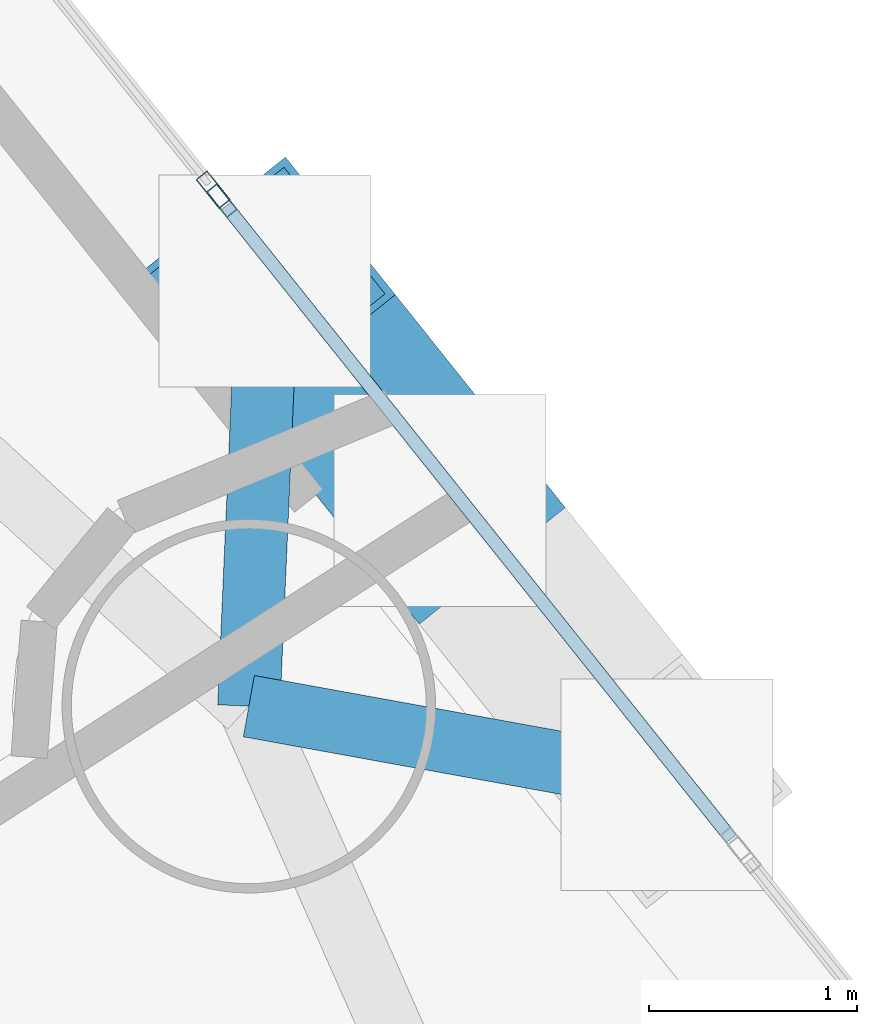
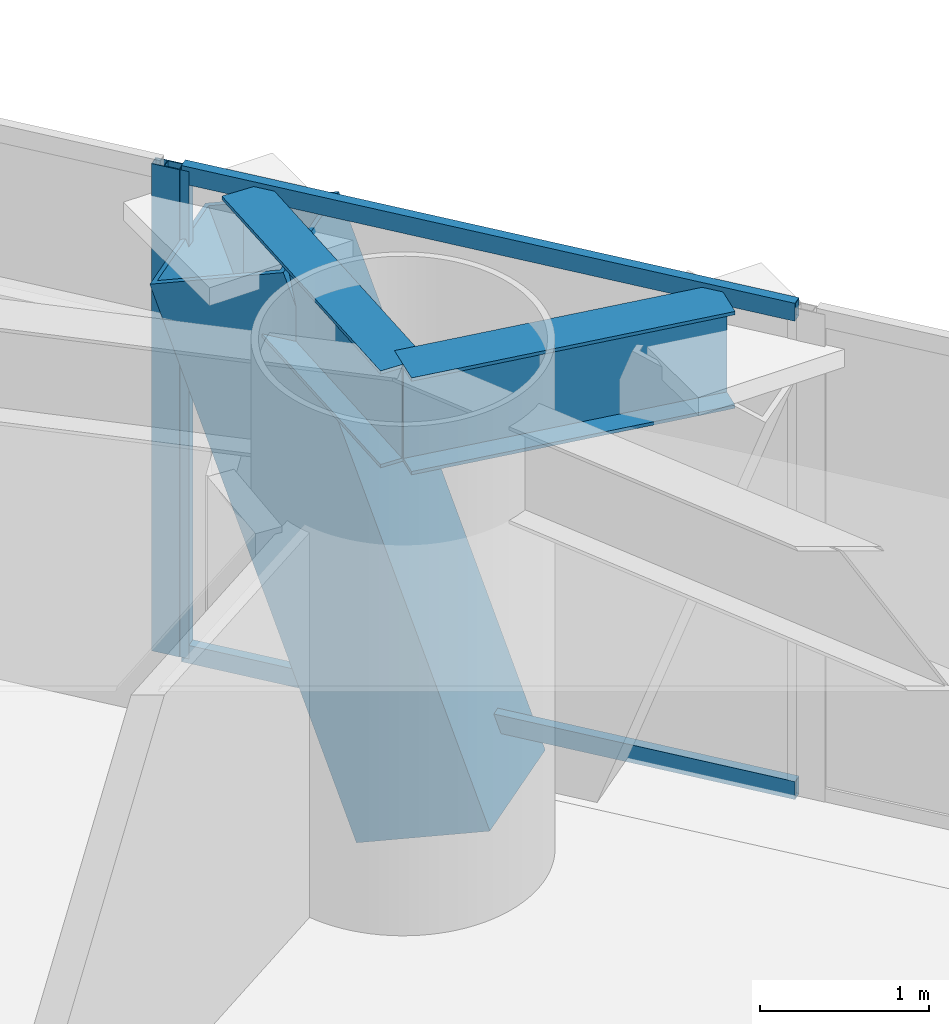
# One storey, part 10 of 23: 5 members, 2 beams, 2 elements without a shape of their own.
"""IFC4 building model written with IfcOpenShell, lengths in metres."""

import ifcopenshell
import ifcopenshell.guid

model = None  # the IFC model being written
_history = None  # IfcOwnerHistory: only IFC2X3 demands one
_inside = {}  # id of a spatial element -> (the spatial element, [elements in it])
_under = {}  # id of a project, library or spatial element -> (it, [spatial elements below it])
_declared = {}  # id of a project -> (the project, [libraries it declares])
_typed = {}  # id of a type object -> (the type object, [elements of that type])
_made_of = {}  # id of a material, layer set ... -> (it, [elements and type objects made of it])


def new_model(schema):
    """Start an empty IFC model of exactly this schema.

    Asked for "IFC4X3", IfcOpenShell would pick the latest addendum, in which some entities
    have other attributes; the version numbers below select the first issue.
    IFC2X3 requires an IfcOwnerHistory on every rooted entity: one is made here for all.
    """
    global model, _history
    if schema == "IFC4X3":
        model = ifcopenshell.file(schema_version=(4, 3, 0, 0))
    else:
        model = ifcopenshell.file(schema=schema)
    _inside.clear()
    _under.clear()
    _declared.clear()
    _typed.clear()
    _made_of.clear()
    _history = None
    if model.schema == "IFC2X3":
        org = make("IfcOrganization", Name="unknown")
        user = make(
            "IfcPersonAndOrganization",
            ThePerson=make("IfcPerson", FamilyName="unknown"),
            TheOrganization=org,
        )
        app = make(
            "IfcApplication",
            ApplicationDeveloper=org,
            Version="unknown",
            ApplicationFullName="unknown",
            ApplicationIdentifier="unknown",
        )
        _history = make(
            "IfcOwnerHistory",
            OwningUser=user,
            OwningApplication=app,
            ChangeAction="ADDED",
            CreationDate=0,
        )
    return model


def make(cls, **values):
    """One entity of the class cls with the attributes given. An attribute that is None is left unset."""
    return model.create_entity(
        cls, **{name: value for name, value in values.items() if value is not None}
    )


def rooted(cls, **values):
    """An entity with a GlobalId (a new one), such as an element, a storey or a relation."""
    return make(cls, GlobalId=ifcopenshell.guid.new(), OwnerHistory=_history, **values)


def si_unit(unit_type, name, prefix=None):
    """IfcSIUnit, for example si_unit("LENGTHUNIT", "METRE", prefix="MILLI")."""
    return make("IfcSIUnit", UnitType=unit_type, Prefix=prefix, Name=name)


def assignment(units):
    """IfcUnitAssignment: the units of a project."""
    return None if units is None else make("IfcUnitAssignment", Units=units)


def point(xyz):
    """IfcCartesianPoint."""
    return None if xyz is None else make("IfcCartesianPoint", Coordinates=xyz)


def direction(xyz):
    """IfcDirection."""
    return None if xyz is None else make("IfcDirection", DirectionRatios=xyz)


def frame(location, z_axis=None, x_axis=None):
    """IfcAxis2Placement3D, a coordinate frame: its origin and axes. An axis left out is left unset."""
    return make(
        "IfcAxis2Placement3D",
        Location=point(location),
        Axis=direction(z_axis),
        RefDirection=direction(x_axis),
    )


def frame_2d(location, x_axis=None):
    """IfcAxis2Placement2D, a coordinate frame in the plane: its origin and x axis."""
    return make(
        "IfcAxis2Placement2D", Location=point(location), RefDirection=direction(x_axis)
    )


def origin():
    """The frame at (0, 0, 0) with its axes left unset."""
    return frame((0.0, 0.0, 0.0))


def origin_2d():
    """The frame at (0, 0) in the plane with its x axis left unset."""
    return frame_2d((0.0, 0.0))


def place(relative_to, where):
    """IfcLocalPlacement: puts the frame where relative to a parent placement (None: the world)."""
    return make(
        "IfcLocalPlacement", PlacementRelTo=relative_to, RelativePlacement=where
    )


def context(
    kind, dimensions, precision=None, world=None, true_north=None, identifier=None
):
    """IfcGeometricRepresentationContext, for example the 3D "Model" context."""
    return make(
        "IfcGeometricRepresentationContext",
        ContextIdentifier=identifier,
        ContextType=kind,
        CoordinateSpaceDimension=dimensions,
        Precision=precision,
        WorldCoordinateSystem=world,
        TrueNorth=true_north,
    )


def subcontext(parent, identifier, kind, view, scale=None):
    """IfcGeometricRepresentationSubContext, for example "Body" below "Model"."""
    return make(
        "IfcGeometricRepresentationSubContext",
        ContextIdentifier=identifier,
        ContextType=kind,
        ParentContext=parent,
        TargetScale=scale,
        TargetView=view,
    )


def project(units=None, contexts=None):
    """IfcProject with its units and contexts."""
    return rooted(
        "IfcProject",
        Name="project",
        RepresentationContexts=contexts,
        UnitsInContext=assignment(units),
    )


def spatial(cls, under=None, at=None, **own):
    """A site, building, storey or space (cls), placed at a placement, below another one or the project."""
    s = rooted(cls, ObjectPlacement=at, **own)
    if under is not None:
        _under.setdefault(under.id(), (under, []))[1].append(s)
    return s


def profile(cls, at=None, kind="AREA", **sizes):
    """A parametric profile (cls). Its sizes go by their IFC names, for example OverallWidth=200.0."""
    return make(cls, ProfileType=kind, Position=at, **sizes)


def hollow_rectangle(**sizes):
    """IfcRectangleHollowProfileDef."""
    return profile("IfcRectangleHollowProfileDef", **sizes)


def i_section(**sizes):
    """IfcIShapeProfileDef."""
    return profile("IfcIShapeProfileDef", **sizes)


def extrude(swept, where, along, depth):
    """IfcExtrudedAreaSolid: the profile swept, set in the frame where, extruded along a direction by depth."""
    return make(
        "IfcExtrudedAreaSolid",
        SweptArea=swept,
        Position=where,
        ExtrudedDirection=direction(along),
        Depth=depth,
    )


def shape(context_of_items, identifier, shape_type, items):
    """IfcShapeRepresentation: the items that make up one representation, for example the "Body"."""
    return make(
        "IfcShapeRepresentation",
        ContextOfItems=context_of_items,
        RepresentationIdentifier=identifier,
        RepresentationType=shape_type,
        Items=items,
    )


def material(Name=None, Category=None):
    """IfcMaterial."""
    return make("IfcMaterial", Name=Name, Category=Category)


def layer(
    of_material, thickness, ventilated=None, Name=None, Category=None, Priority=None
):
    """IfcMaterialLayer: one layer of a wall or slab, of a material (None: an air gap)."""
    return make(
        "IfcMaterialLayer",
        Material=of_material,
        LayerThickness=thickness,
        IsVentilated=ventilated,
        Name=Name,
        Category=Category,
        Priority=Priority,
    )


def layer_set(layers, Name=None):
    """IfcMaterialLayerSet."""
    return make("IfcMaterialLayerSet", MaterialLayers=layers, LayerSetName=Name)


def material_profile(
    of_material, cross_section, Name=None, Category=None, Priority=None
):
    """IfcMaterialProfile: a cross section and its material."""
    return make(
        "IfcMaterialProfile",
        Name=Name,
        Material=of_material,
        Profile=cross_section,
        Priority=Priority,
        Category=Category,
    )


def profile_set(profiles, Name=None, composite=None):
    """IfcMaterialProfileSet."""
    return make(
        "IfcMaterialProfileSet",
        Name=Name,
        MaterialProfiles=profiles,
        CompositeProfile=composite,
    )


def made_of(thing, what):
    """Note that an element or type object is made of a material, layer set ...; save() writes the relation."""
    if what is not None:
        _made_of.setdefault(what.id(), (what, []))[1].append(thing)
    return thing


def type_object(cls, material=None, **own):
    """A type object (cls), such as IfcWallType, which elements share."""
    return made_of(rooted(cls, **own), material)


def element(
    cls,
    number,
    at=None,
    inside=None,
    cuts=None,
    type_object=None,
    material=None,
    context=None,
    identifier="Body",
    shape_type=None,
    held_by="IfcProductDefinitionShape",
    body=None,
    shapes=None,
    **own,
):
    """One element of the class cls, such as IfcWall. Its Tag is "e" and its number.

    at: its placement. inside: the storey or other place that contains it. cuts: it is an
    opening in that element (IfcRelVoidsElement). A single representation is given by context,
    identifier, shape_type and body (its items); several are given by shapes. held_by: the class
    of the entity that holds the representations. save() writes the other relations.
    """
    e = rooted(cls, Tag="e%d" % number, ObjectPlacement=at, **own)
    if body is not None:
        shapes = [shape(context, identifier, shape_type, body)]
    if shapes is not None:
        e.Representation = make(held_by, Representations=shapes)
    if inside is not None:
        _inside.setdefault(inside.id(), (inside, []))[1].append(e)
    if cuts is not None:
        rooted(
            "IfcRelVoidsElement", RelatingBuildingElement=cuts, RelatedOpeningElement=e
        )
    if type_object is not None:
        _typed.setdefault(type_object.id(), (type_object, []))[1].append(e)
    return made_of(e, material)


def aggregate(whole, parts):
    """IfcRelAggregates: a whole, such as a stair, and the parts it consists of."""
    return rooted("IfcRelAggregates", RelatingObject=whole, RelatedObjects=parts)


def save(model, path):
    """Write the relations noted so far, then the file.

    IfcRelAggregates (storeys below a building ...), IfcRelContainedInSpatialStructure (elements
    in a storey), IfcRelDefinesByType, IfcRelAssociatesMaterial and IfcRelDeclares: one each for
    every whole, place, type object, material and project.
    """
    for whole, parts in _under.values():
        aggregate(whole, parts)
    for where, things in _inside.values():
        rooted(
            "IfcRelContainedInSpatialStructure",
            RelatedElements=things,
            RelatingStructure=where,
        )
    for kind, things in _typed.values():
        rooted("IfcRelDefinesByType", RelatedObjects=things, RelatingType=kind)
    for what, things in _made_of.values():
        rooted("IfcRelAssociatesMaterial", RelatedObjects=things, RelatingMaterial=what)
    for by, libraries in _declared.values():
        rooted("IfcRelDeclares", RelatingContext=by, RelatedDefinitions=libraries)
    model.write(path)


model = new_model("IFC4")

# Units and contexts
model_context = context("Model", 3, precision=1e-05, world=origin(), true_north=direction((0.0, 1.0)))
body_context = subcontext(model_context, "Body", "Model", "MODEL_VIEW")
ifc_project = project(units=[si_unit("LENGTHUNIT", "METRE"), si_unit("AREAUNIT", "SQUARE_METRE"), si_unit("VOLUMEUNIT", "CUBIC_METRE"), si_unit("PLANEANGLEUNIT", "RADIAN"), si_unit("MASSUNIT", "GRAM", prefix="KILO")], contexts=[model_context])

# Site, building, storey
site_placement = place(None, origin())
site = spatial("IfcSite", under=ifc_project, at=site_placement, CompositionType="ELEMENT")
building_placement = place(site_placement, origin())
building = spatial("IfcBuilding", under=site, at=building_placement, Name="Qianvela Tower", CompositionType="ELEMENT")
storey_placement = place(building_placement, frame((0.0, 0.0, 33.10009765625)))
storey = spatial("IfcBuildingStorey", under=building, at=storey_placement, Name="L07", CompositionType="ELEMENT", Elevation=33.10009765625)

# Beams
ifc_material_1 = material(Name="Steel Q355B", Category="steel")
ifc_material_profile_1 = material_profile(ifc_material_1, i_section(OverallWidth=0.300048828125, OverallDepth=0.699951171875, WebThickness=0.012939453125, FlangeThickness=0.02392578125, at=origin_2d()), Name="HN700x300x13x24")
ifc_profile_set_1 = profile_set([ifc_material_profile_1], Name="Steel Q355B")
beam_type = type_object("IfcBeamType", Name="BM-HN700-SPAND", PredefinedType="SPANDREL", material=ifc_profile_set_1)
for number, where, z_axis, x_axis, name in (
    (1, (47.736083984375, 32.636962890625, 3.16796875), (0.983969605927, -0.178336240323, 0.0), (0.178336240323, 0.983969605927, 0.0), "L07 Mega-Brace Column Tie Bracket F1-1"),
    (2, (47.736083984375, 32.636962890625, 3.16796875), (0.043801764371, 0.999040242151, 0.0), (-0.999040242151, 0.043801764371, 0.0), "L07 Mega-Brace Column Tie Bracket F1-2"),
):
    element("IfcBeam", number, at=place(storey_placement, frame(where, z_axis=z_axis, x_axis=x_axis)), inside=storey, type_object=beam_type, Name=name, PredefinedType="SPANDREL", context=body_context, shape_type="SweptSolid", body=[
        extrude(i_section(OverallWidth=0.300048828125, OverallDepth=0.699951171875, WebThickness=0.012939453125, FlangeThickness=0.02392578125, at=origin_2d()), origin(), (0.0, 0.0, 1.0), 2.034423828125),
    ])

# Curtain wall, members
ifc_material_2 = material(Name="Anodised Architectural Aluminium and Insulated Spandrel Panel", Category="aluminium")
ifc_layer_1 = layer(ifc_material_2, 0.179931640625)
ifc_layer_set_1 = layer_set([ifc_layer_1], Name="Anodised Architectural Aluminium and Insulated Spandrel Panel")
curtain_wall_type_1 = type_object("IfcCurtainWallType", Name="CW-BRACEBAY", PredefinedType="USERDEFINED", material=ifc_layer_set_1)
curtain_wall_1_placement = place(storey_placement, origin())
curtain_wall_1 = element("IfcCurtainWall", 3, at=curtain_wall_1_placement, inside=storey, type_object=curtain_wall_type_1, Name="L07 CW-BRACEBAY Curtain Wall 02B", ObjectType="CURTAIN_WALL_SYSTEM", PredefinedType="USERDEFINED")
ifc_material_3 = material(Name="Anodised Architectural Aluminium 6063-T6", Category="aluminium")
ifc_material_profile_2 = material_profile(ifc_material_3, hollow_rectangle(XDim=0.06494140625, YDim=0.159912109375, WallThickness=0.0048828125, at=origin_2d()), Name="ALU-MULL-65x160")
ifc_profile_set_2 = profile_set([ifc_material_profile_2], Name="Anodised Architectural Aluminium 6063-T6")
member_type_1 = type_object("IfcMemberType", Name="CW-BRACEBAY-MULL", PredefinedType="MULLION", material=ifc_profile_set_2)
member_1_placement = place(storey_placement, frame((47.606201171875, 35.072021484375, 0.0), z_axis=(0.0, 0.0, 1.0), x_axis=(-0.781444647879, -0.623974568634, 0.0)))
member_1 = element("IfcMember", 4, at=member_1_placement, type_object=member_type_1, Name="CW-9 mullion 2", PredefinedType="MULLION", context=body_context, shape_type="SweptSolid", body=[
    extrude(hollow_rectangle(XDim=0.06494140625, YDim=0.159912109375, WallThickness=0.0048828125, at=origin_2d()), origin(), (0.0, 0.0, 1.0), 3.52001953125),
])
ifc_material_4 = material(Name="Anodised Architectural Aluminium 6063-T6", Category="aluminium")
ifc_material_profile_3 = material_profile(ifc_material_4, hollow_rectangle(XDim=0.06494140625, YDim=0.1298828125, WallThickness=0.00439453125, at=origin_2d()), Name="ALU-TRAN-65x130")
ifc_profile_set_3 = profile_set([ifc_material_profile_3], Name="Anodised Architectural Aluminium 6063-T6")
member_type_2 = type_object("IfcMemberType", Name="CW-BRACEBAY-TRAN", PredefinedType="USERDEFINED", material=ifc_profile_set_3)
member_2_placement = place(storey_placement, frame((50.06005859375, 31.998779296875, 0.032470703125), z_axis=(-0.623992458297, 0.781430362853, 0.0), x_axis=(-0.781430362853, -0.623992458297, 0.0)))
member_2 = element("IfcMember", 5, at=member_2_placement, type_object=member_type_2, Name="CW-9 transom 1.1", ObjectType="TRANSOM", PredefinedType="USERDEFINED", context=body_context, shape_type="SweptSolid", body=[
    extrude(hollow_rectangle(XDim=0.06494140625, YDim=0.1298828125, WallThickness=0.00439453125, at=origin_2d()), origin(), (0.0, 0.0, 1.0), 3.900146484375),
])
member_3_placement = place(storey_placement, frame((50.06005859375, 31.998779296875, 3.4873046875), z_axis=(-0.623992458297, 0.781430362853, 0.0), x_axis=(-0.781430362853, -0.623992458297, 0.0)))
member_3 = element("IfcMember", 6, at=member_3_placement, type_object=member_type_2, Name="CW-9 transom 1.2", ObjectType="TRANSOM", PredefinedType="USERDEFINED", context=body_context, shape_type="SweptSolid", body=[
    extrude(hollow_rectangle(XDim=0.06494140625, YDim=0.1298828125, WallThickness=0.00439453125, at=origin_2d()), origin(), (0.0, 0.0, 1.0), 3.900146484375),
])
aggregate(curtain_wall_1, [member_1, member_2, member_3])

# Curtain wall, member
ifc_material_5 = material(Name="Anodised Architectural Aluminium and Low-E Glass", Category="aluminium")
ifc_layer_2 = layer(ifc_material_5, 0.179931640625)
ifc_layer_set_2 = layer_set([ifc_layer_2], Name="Anodised Architectural Aluminium and Low-E Glass")
curtain_wall_type_2 = type_object("IfcCurtainWallType", Name="CW-COLIV-Z12", PredefinedType="USERDEFINED", material=ifc_layer_set_2)
curtain_wall_2_placement = place(storey_placement, origin())
curtain_wall_2 = element("IfcCurtainWall", 7, at=curtain_wall_2_placement, inside=storey, type_object=curtain_wall_type_2, Name="L07 CW-COLIV-Z12 Curtain Wall 02C", ObjectType="CURTAIN_WALL_SYSTEM", PredefinedType="USERDEFINED")
ifc_material_6 = material(Name="Anodised Architectural Aluminium 6063-T6", Category="aluminium")
ifc_material_profile_4 = material_profile(ifc_material_6, hollow_rectangle(XDim=0.070068359375, YDim=0.179931640625, WallThickness=0.0048828125, at=origin_2d()), Name="ALU-MULL-70x180")
ifc_profile_set_4 = profile_set([ifc_material_profile_4], Name="Anodised Architectural Aluminium 6063-T6")
member_type_3 = type_object("IfcMemberType", Name="CW-COLIV-Z12-MULL", PredefinedType="MULLION", material=ifc_profile_set_4)
member_4_placement = place(storey_placement, frame((47.564208984375, 35.124755859375, 0.0), z_axis=(0.0, 0.0, 1.0), x_axis=(-0.781446221617, -0.623972597732, 0.0)))
member_4 = element("IfcMember", 8, at=member_4_placement, type_object=member_type_3, Name="CW-3 mullion 1", PredefinedType="MULLION", context=body_context, shape_type="SweptSolid", body=[
    extrude(hollow_rectangle(XDim=0.070068359375, YDim=0.179931640625, WallThickness=0.0048828125, at=origin_2d()), origin(), (0.0, 0.0, 1.0), 3.52001953125),
])
aggregate(curtain_wall_2, [member_4])

# Member
ifc_material_7 = material(Name="Steel Q420GJC", Category="steel")
ifc_material_profile_5 = material_profile(ifc_material_7, hollow_rectangle(XDim=0.89990234375, YDim=0.89990234375, WallThickness=0.035888671875, at=origin_2d()), Name="MBOX-900x900x36")
ifc_profile_set_5 = profile_set([ifc_material_profile_5], Name="Steel Q420GJC")
member_type_4 = type_object("IfcMemberType", Name="MBR-MBRACE-900", PredefinedType="BRACE", material=ifc_profile_set_5)
member_5_placement = place(storey_placement, frame((48.644287109375, 33.643798828125, -0.531982421875), z_axis=(-0.208639416637, 0.261250130936, 0.942453162184), x_axis=(-0.781394782186, -0.624037013624, 0.0)))
element("IfcMember", 9, at=member_5_placement, inside=storey, type_object=member_type_4, Name="L07 Tier 1 Exterior Mega-Brace F1B", PredefinedType="BRACE", context=body_context, shape_type="SweptSolid", body=[
    extrude(hollow_rectangle(XDim=0.89990234375, YDim=0.89990234375, WallThickness=0.035888671875, at=origin_2d()), origin(), (0.0, 0.0, 1.0), 3.92578125),
])

save(model, "model.ifc")
